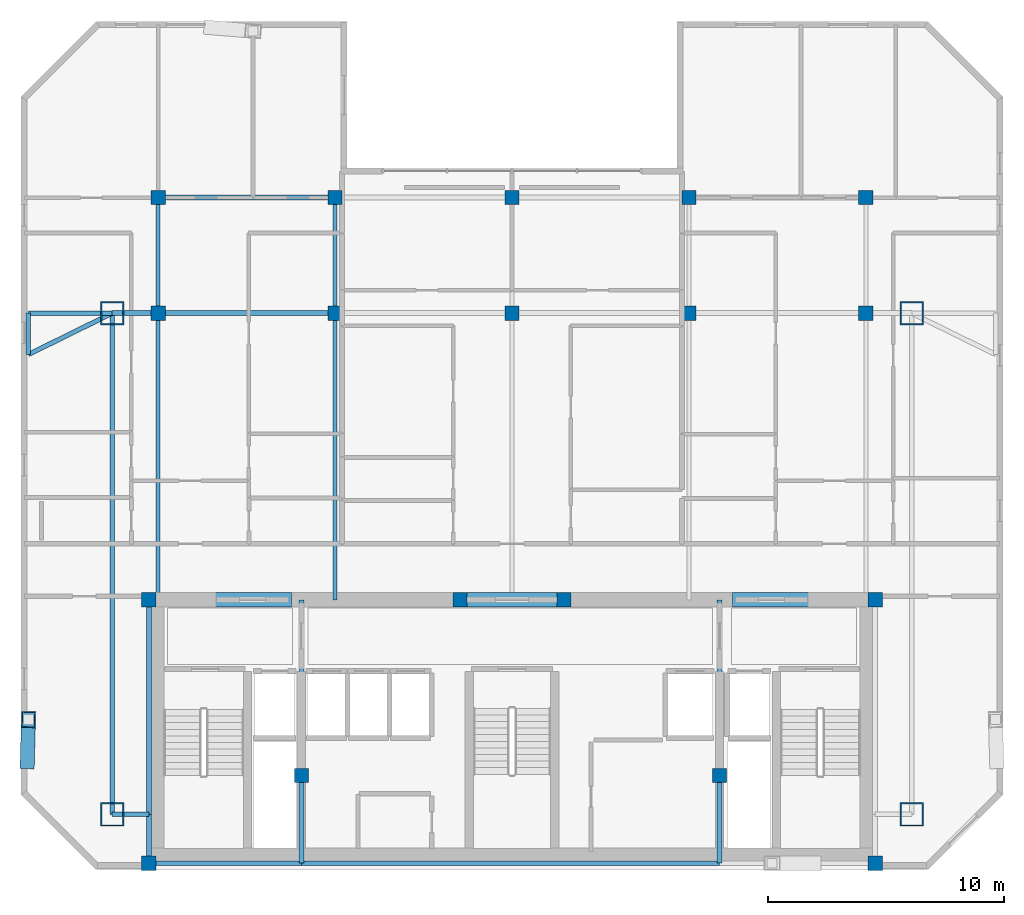
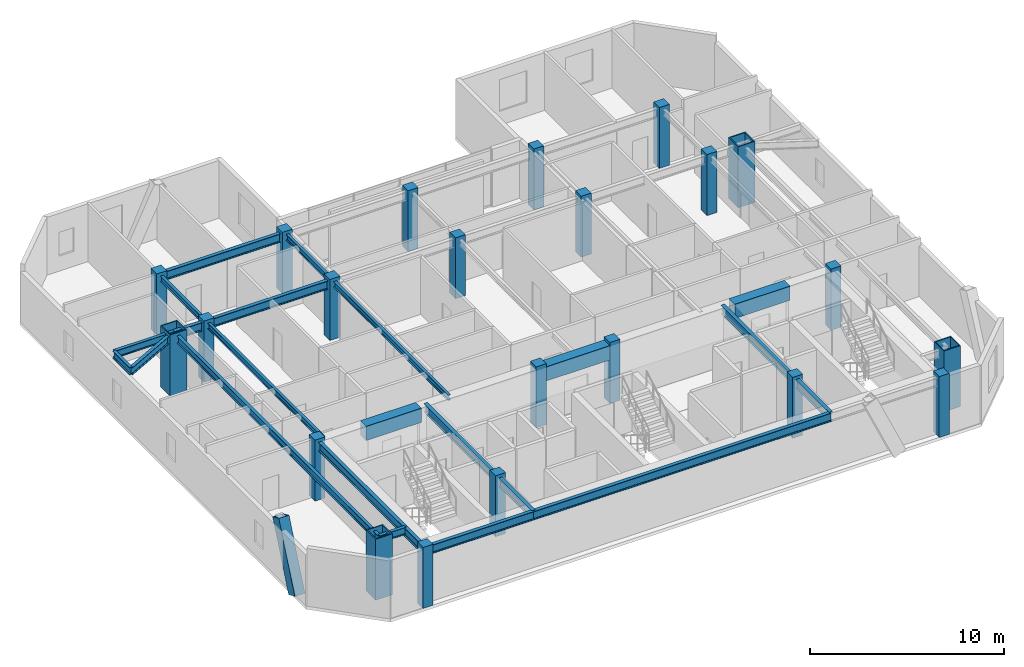
# One storey, part 1 of 11: 23 beams, 22 columns, 1 member.
"""IFC4 building model written with IfcOpenShell, lengths in metres."""

from ifc_helpers import new_model, si_unit, direction, frame, origin, origin_2d, place, context, subcontext, project, spatial, rectangle, hollow_rectangle, i_section, extrude, material, material_profile, profile_set, type_object, element, save


model = new_model("IFC4")

# Units and contexts
model_context = context("Model", 3, precision=1e-05, world=origin(), true_north=direction((0.0, 1.0)))
body_context = subcontext(model_context, "Body", "Model", "MODEL_VIEW")
ifc_project = project(units=[si_unit("LENGTHUNIT", "METRE"), si_unit("AREAUNIT", "SQUARE_METRE"), si_unit("VOLUMEUNIT", "CUBIC_METRE"), si_unit("PLANEANGLEUNIT", "RADIAN"), si_unit("MASSUNIT", "GRAM", prefix="KILO")], contexts=[model_context])

# Site, building, storey
site_placement = place(None, origin())
site = spatial("IfcSite", under=ifc_project, at=site_placement, CompositionType="ELEMENT")
building_placement = place(site_placement, origin())
building = spatial("IfcBuilding", under=site, at=building_placement, Name="Ventersveld Concourse Tower", CompositionType="ELEMENT")
storey_placement = place(building_placement, frame((0.0, 0.0, 256.75)))
storey = spatial("IfcBuildingStorey", under=building, at=storey_placement, Name="L63", CompositionType="ELEMENT", Elevation=256.75)

# Columns
ifc_material_1 = material(Name="Concrete C50/60", Category="concrete")
ifc_material_profile_1 = material_profile(ifc_material_1, rectangle(XDim=0.60009765625, YDim=0.60009765625, at=origin_2d()), Name="RC 600x600")
ifc_profile_set_1 = profile_set([ifc_material_profile_1], Name="Concrete C50/60")
column_type_1 = type_object("IfcColumnType", Name="COL-RC600", PredefinedType="COLUMN", material=ifc_profile_set_1)
for number, where, z_axis, x_axis, name in (
    (1, (13.35009765625, 0.280029296875, 0.0), (0.0, 0.0, 1.0), (1.0, 0.0, 0.0), "L63 Core Spine Column CC-SW"),
    (2, (44.14990234375, 0.280029296875, 0.0), (0.0, 0.0, 1.0), (1.0, 0.0, 0.0), "L63 Core Spine Column CC-SE"),
    (3, (13.35009765625, 11.449951171875, 0.0), (0.0, 0.0, 1.0), (1.0, 0.0, 0.0), "L63 Core Spine Column CC-NW"),
    (4, (44.14990234375, 11.449951171875, 0.0), (0.0, 0.0, 1.0), (1.0, 0.0, 0.0), "L63 Core Spine Column CC-NE"),
    (5, (19.820068359375, 4.0, 0.0), (0.0, 0.0, 1.0), (1.0, 0.0, 0.0), "L63 Core Spine Column CM-1"),
    (6, (37.550048828125, 4.0, 0.0), (0.0, 0.0, 1.0), (1.0, 0.0, 0.0), "L63 Core Spine Column CM-2"),
    (7, (26.550048828125, 11.449951171875, 0.0), (0.0, 0.0, 1.0), (1.0, 0.0, 0.0), "L63 Core Spine Column CM-3"),
    (8, (30.949951171875, 11.449951171875, 0.0), (0.0, 0.0, 1.0), (1.0, 0.0, 0.0), "L63 Core Spine Column CM-4"),
    (9, (13.75, 23.60009765625, 0.0), (0.0, 0.0, 1.0), (1.0, 0.0, 0.0), "L63 Interior Gravity Column X=13.75 Y=23.60"),
    (10, (21.25, 23.60009765625, 0.0), (0.0, 0.0, 1.0), (1.0, 0.0, 0.0), "L63 Interior Gravity Column X=21.25 Y=23.60"),
    (11, (28.75, 23.60009765625, 0.0), (0.0, 0.0, 1.0), (1.0, 0.0, 0.0), "L63 Interior Gravity Column X=28.75 Y=23.60"),
    (12, (36.25, 23.60009765625, 0.0), (0.0, 0.0, 1.0), (1.0, 0.0, 0.0), "L63 Interior Gravity Column X=36.25 Y=23.60"),
    (13, (43.75, 23.60009765625, 0.0), (0.0, 0.0, 1.0), (1.0, 0.0, 0.0), "L63 Interior Gravity Column X=43.75 Y=23.60"),
    (14, (13.75, 28.5, 0.0), (0.0, 0.0, 1.0), (1.0, 0.0, 0.0), "L63 Upper-North Gravity Column X=13.75 Y=28.50"),
    (15, (21.25, 28.5, 0.0), (0.0, 0.0, 1.0), (1.0, 0.0, 0.0), "L63 Upper-North Gravity Column X=21.25 Y=28.50"),
    (16, (28.75, 28.5, 0.0), (0.0, 0.0, 1.0), (1.0, 0.0, 0.0), "L63 Upper-North Gravity Column X=28.75 Y=28.50"),
    (17, (36.25, 28.5, 0.0), (0.0, 0.0, 1.0), (1.0, 0.0, 0.0), "L63 Upper-North Gravity Column X=36.25 Y=28.50"),
    (18, (43.75, 28.5, 0.0), (0.0, 0.0, 1.0), (1.0, 0.0, 0.0), "L63 Upper-North Gravity Column X=43.75 Y=28.50"),
):
    element("IfcColumn", number, at=place(storey_placement, frame(where, z_axis=z_axis, x_axis=x_axis)), inside=storey, type_object=column_type_1, Name=name, PredefinedType="COLUMN", context=body_context, shape_type="SweptSolid", body=[
        extrude(rectangle(XDim=0.60009765625, YDim=0.60009765625, at=origin_2d()), origin(), (0.0, 0.0, 1.0), 3.85009765625),
    ])
ifc_material_2 = material(Name="Structural steel S460ML", Category="steel")
ifc_material_profile_2 = material_profile(ifc_material_2, hollow_rectangle(XDim=1.0, YDim=1.0, WallThickness=0.06005859375, at=origin_2d()), Name="BOX 1000x1000x60")
ifc_profile_set_2 = profile_set([ifc_material_profile_2], Name="Structural steel S460ML")
column_type_2 = type_object("IfcColumnType", Name="MC-1000", PredefinedType="USERDEFINED", material=ifc_profile_set_2)
for number, where, z_axis, x_axis, name in (
    (19, (11.800048828125, 2.35009765625, 0.0), (0.0, 0.0, 1.0), (1.0, 0.0, 0.0), "L63 Corner Mega-Column MC-SW"),
    (20, (45.699951171875, 2.35009765625, 0.0), (0.0, 0.0, 1.0), (1.0, 0.0, 0.0), "L63 Corner Mega-Column MC-SE"),
    (21, (45.699951171875, 23.60009765625, 0.0), (0.0, 0.0, 1.0), (1.0, 0.0, 0.0), "L63 Corner Mega-Column MC-NE"),
    (22, (11.800048828125, 23.60009765625, 0.0), (0.0, 0.0, 1.0), (1.0, 0.0, 0.0), "L63 Corner Mega-Column MC-NW"),
):
    element("IfcColumn", number, at=place(storey_placement, frame(where, z_axis=z_axis, x_axis=x_axis)), inside=storey, type_object=column_type_2, Name=name, ObjectType="MEGA_COLUMN", PredefinedType="USERDEFINED", context=body_context, shape_type="SweptSolid", body=[
        extrude(hollow_rectangle(XDim=1.0, YDim=1.0, WallThickness=0.06005859375, at=origin_2d()), origin(), (0.0, 0.0, 1.0), 3.85009765625),
    ])

# Beams
ifc_material_3 = material(Name="Structural steel S355J2", Category="steel")
ifc_material_profile_3 = material_profile(ifc_material_3, i_section(OverallWidth=0.17138671875, OverallDepth=0.35498046875, WebThickness=0.00732421875, FlangeThickness=0.011474609375, FilletRadius=0.01025390625, at=origin_2d()), Name="UB 356x171x51")
ifc_profile_set_3 = profile_set([ifc_material_profile_3], Name="Structural steel S355J2")
beam_type_1 = type_object("IfcBeamType", Name="BM-UB356", PredefinedType="BEAM", material=ifc_profile_set_3)
beam_1_placement = place(storey_placement, frame((13.75, 11.449951171875, 3.472412109375), z_axis=(0.0, 1.0, 0.0), x_axis=(-1.0, 0.0, 0.0)))
element("IfcBeam", 23, at=beam_1_placement, inside=storey, type_object=beam_type_1, Name="L63 N-S Composite Floor Beam South X=13.75", PredefinedType="BEAM", context=body_context, shape_type="SweptSolid", body=[
    extrude(i_section(OverallWidth=0.17138671875, OverallDepth=0.35498046875, WebThickness=0.00732421875, FlangeThickness=0.011474609375, FilletRadius=0.01025390625, at=origin_2d()), origin(), (0.0, 0.0, 1.0), 12.150146484375),
])
beam_2_placement = place(storey_placement, frame((13.75, 23.60009765625, 3.472412109375), z_axis=(0.0, 1.0, 0.0), x_axis=(-1.0, 0.0, 0.0)))
element("IfcBeam", 24, at=beam_2_placement, inside=storey, type_object=beam_type_1, Name="L63 N-S Upper-Zone Floor Beam X=13.75", PredefinedType="BEAM", context=body_context, shape_type="SweptSolid", body=[
    extrude(i_section(OverallWidth=0.17138671875, OverallDepth=0.35498046875, WebThickness=0.00732421875, FlangeThickness=0.011474609375, FilletRadius=0.01025390625, at=origin_2d()), origin(), (0.0, 0.0, 1.0), 4.89990234375),
])
beam_3_placement = place(storey_placement, frame((21.25, 11.449951171875, 3.472412109375), z_axis=(0.0, 1.0, 0.0), x_axis=(-1.0, 0.0, 0.0)))
element("IfcBeam", 25, at=beam_3_placement, inside=storey, type_object=beam_type_1, Name="L63 N-S Composite Floor Beam South X=21.25", PredefinedType="BEAM", context=body_context, shape_type="SweptSolid", body=[
    extrude(i_section(OverallWidth=0.17138671875, OverallDepth=0.35498046875, WebThickness=0.00732421875, FlangeThickness=0.011474609375, FilletRadius=0.01025390625, at=origin_2d()), origin(), (0.0, 0.0, 1.0), 12.150146484375),
])
beam_4_placement = place(storey_placement, frame((21.25, 23.60009765625, 3.472412109375), z_axis=(0.0, 1.0, 0.0), x_axis=(-1.0, 0.0, 0.0)))
element("IfcBeam", 26, at=beam_4_placement, inside=storey, type_object=beam_type_1, Name="L63 N-S Upper-Zone Floor Beam X=21.25", PredefinedType="BEAM", context=body_context, shape_type="SweptSolid", body=[
    extrude(i_section(OverallWidth=0.17138671875, OverallDepth=0.35498046875, WebThickness=0.00732421875, FlangeThickness=0.011474609375, FilletRadius=0.01025390625, at=origin_2d()), origin(), (0.0, 0.0, 1.0), 4.89990234375),
])
ifc_material_profile_4 = material_profile(ifc_material_1, rectangle(XDim=0.60009765625, YDim=0.89990234375, at=origin_2d()), Name="RC 600x900")
ifc_profile_set_4 = profile_set([ifc_material_profile_4], Name="Concrete C50/60")
beam_type_2 = type_object("IfcBeamType", Name="CB-RC600x900U", PredefinedType="LINTEL", material=ifc_profile_set_4)
beam_5_placement = place(storey_placement, frame((16.10009765625, 11.449951171875, 3.199951171875), z_axis=(1.0, 0.0, 0.0), x_axis=(0.0, 1.0, 0.0)))
element("IfcBeam", 27, at=beam_5_placement, inside=storey, type_object=beam_type_2, Name="L63 Core Coupling Lintel Beam 1", PredefinedType="LINTEL", context=body_context, shape_type="SweptSolid", body=[
    extrude(rectangle(XDim=0.60009765625, YDim=0.89990234375, at=origin_2d()), origin(), (0.0, 0.0, 1.0), 3.2998046875),
])
beam_6_placement = place(storey_placement, frame((26.5, 11.449951171875, 3.199951171875), z_axis=(1.0, 0.0, 0.0), x_axis=(0.0, 1.0, 0.0)))
element("IfcBeam", 28, at=beam_6_placement, inside=storey, type_object=beam_type_2, Name="L63 Core Coupling Lintel Beam 2", PredefinedType="LINTEL", context=body_context, shape_type="SweptSolid", body=[
    extrude(rectangle(XDim=0.60009765625, YDim=0.89990234375, at=origin_2d()), origin(), (0.0, 0.0, 1.0), 4.5),
])
beam_7_placement = place(storey_placement, frame((38.10009765625, 11.449951171875, 3.199951171875), z_axis=(1.0, 0.0, 0.0), x_axis=(0.0, 1.0, 0.0)))
element("IfcBeam", 29, at=beam_7_placement, inside=storey, type_object=beam_type_2, Name="L63 Core Coupling Lintel Beam 3", PredefinedType="LINTEL", context=body_context, shape_type="SweptSolid", body=[
    extrude(rectangle(XDim=0.60009765625, YDim=0.89990234375, at=origin_2d()), origin(), (0.0, 0.0, 1.0), 3.2998046875),
])
ifc_material_profile_5 = material_profile(ifc_material_3, i_section(OverallWidth=0.2119140625, OverallDepth=0.54443359375, WebThickness=0.0126953125, FlangeThickness=0.021240234375, FilletRadius=0.0126953125, at=origin_2d()), Name="UB 533x210x122")
ifc_profile_set_5 = profile_set([ifc_material_profile_5], Name="Structural steel S355J2")
beam_type_3 = type_object("IfcBeamType", Name="GRD-UB533H", PredefinedType="T_BEAM", material=ifc_profile_set_5)
beam_8_placement = place(storey_placement, frame((13.35009765625, 0.280029296875, 3.377685546875), z_axis=(0.0, 1.0, 0.0), x_axis=(-1.0, 0.0, 0.0)))
element("IfcBeam", 30, at=beam_8_placement, inside=storey, type_object=beam_type_3, Name="L63 Core West Tie Beam S", PredefinedType="T_BEAM", context=body_context, shape_type="SweptSolid", body=[
    extrude(i_section(OverallWidth=0.2119140625, OverallDepth=0.54443359375, WebThickness=0.0126953125, FlangeThickness=0.021240234375, FilletRadius=0.0126953125, at=origin_2d()), origin(), (0.0, 0.0, 1.0), 2.070068359375),
])
beam_9_placement = place(storey_placement, frame((13.35009765625, 2.35009765625, 3.377685546875), z_axis=(0.0, 1.0, 0.0), x_axis=(-1.0, 0.0, 0.0)))
element("IfcBeam", 31, at=beam_9_placement, inside=storey, type_object=beam_type_3, Name="L63 Core West Tie Beam N", PredefinedType="T_BEAM", context=body_context, shape_type="SweptSolid", body=[
    extrude(i_section(OverallWidth=0.2119140625, OverallDepth=0.54443359375, WebThickness=0.0126953125, FlangeThickness=0.021240234375, FilletRadius=0.0126953125, at=origin_2d()), origin(), (0.0, 0.0, 1.0), 9.099853515625),
])
beam_10_placement = place(storey_placement, frame((13.35009765625, 0.280029296875, 3.377685546875), z_axis=(1.0, 0.0, 0.0), x_axis=(0.0, 1.0, 0.0)))
element("IfcBeam", 32, at=beam_10_placement, inside=storey, type_object=beam_type_3, Name="L63 Core South Tie Beam W", PredefinedType="T_BEAM", context=body_context, shape_type="SweptSolid", body=[
    extrude(i_section(OverallWidth=0.2119140625, OverallDepth=0.54443359375, WebThickness=0.0126953125, FlangeThickness=0.021240234375, FilletRadius=0.0126953125, at=origin_2d()), origin(), (0.0, 0.0, 1.0), 6.469970703125),
])
beam_11_placement = place(storey_placement, frame((19.820068359375, 0.280029296875, 3.377685546875), z_axis=(1.0, 0.0, 0.0), x_axis=(0.0, 1.0, 0.0)))
element("IfcBeam", 33, at=beam_11_placement, inside=storey, type_object=beam_type_3, Name="L63 Core South Tie Beam C", PredefinedType="T_BEAM", context=body_context, shape_type="SweptSolid", body=[
    extrude(i_section(OverallWidth=0.2119140625, OverallDepth=0.54443359375, WebThickness=0.0126953125, FlangeThickness=0.021240234375, FilletRadius=0.0126953125, at=origin_2d()), origin(), (0.0, 0.0, 1.0), 17.72998046875),
])
beam_12_placement = place(storey_placement, frame((19.820068359375, 0.280029296875, 3.377685546875), z_axis=(0.0, 1.0, 0.0), x_axis=(-1.0, 0.0, 0.0)))
element("IfcBeam", 34, at=beam_12_placement, inside=storey, type_object=beam_type_3, Name="L63 Core Spine N-S Tie Beam W1", PredefinedType="T_BEAM", context=body_context, shape_type="SweptSolid", body=[
    extrude(i_section(OverallWidth=0.2119140625, OverallDepth=0.54443359375, WebThickness=0.0126953125, FlangeThickness=0.021240234375, FilletRadius=0.0126953125, at=origin_2d()), origin(), (0.0, 0.0, 1.0), 3.719970703125),
])
beam_13_placement = place(storey_placement, frame((19.820068359375, 4.0, 3.377685546875), z_axis=(0.0, 1.0, 0.0), x_axis=(-1.0, 0.0, 0.0)))
element("IfcBeam", 35, at=beam_13_placement, inside=storey, type_object=beam_type_3, Name="L63 Core Spine N-S Tie Beam W2", PredefinedType="T_BEAM", context=body_context, shape_type="SweptSolid", body=[
    extrude(i_section(OverallWidth=0.2119140625, OverallDepth=0.54443359375, WebThickness=0.0126953125, FlangeThickness=0.021240234375, FilletRadius=0.0126953125, at=origin_2d()), origin(), (0.0, 0.0, 1.0), 7.449951171875),
])
beam_14_placement = place(storey_placement, frame((37.550048828125, 0.280029296875, 3.377685546875), z_axis=(0.0, 1.0, 0.0), x_axis=(-1.0, 0.0, 0.0)))
element("IfcBeam", 36, at=beam_14_placement, inside=storey, type_object=beam_type_3, Name="L63 Core Spine N-S Tie Beam E1", PredefinedType="T_BEAM", context=body_context, shape_type="SweptSolid", body=[
    extrude(i_section(OverallWidth=0.2119140625, OverallDepth=0.54443359375, WebThickness=0.0126953125, FlangeThickness=0.021240234375, FilletRadius=0.0126953125, at=origin_2d()), origin(), (0.0, 0.0, 1.0), 3.719970703125),
])
beam_15_placement = place(storey_placement, frame((37.550048828125, 4.0, 3.377685546875), z_axis=(0.0, 1.0, 0.0), x_axis=(-1.0, 0.0, 0.0)))
element("IfcBeam", 37, at=beam_15_placement, inside=storey, type_object=beam_type_3, Name="L63 Core Spine N-S Tie Beam E2", PredefinedType="T_BEAM", context=body_context, shape_type="SweptSolid", body=[
    extrude(i_section(OverallWidth=0.2119140625, OverallDepth=0.54443359375, WebThickness=0.0126953125, FlangeThickness=0.021240234375, FilletRadius=0.0126953125, at=origin_2d()), origin(), (0.0, 0.0, 1.0), 7.449951171875),
])
beam_16_placement = place(storey_placement, frame((11.800048828125, 23.60009765625, 3.377685546875), z_axis=(1.0, 0.0, 0.0), x_axis=(0.0, 1.0, 0.0)))
element("IfcBeam", 38, at=beam_16_placement, inside=storey, type_object=beam_type_3, Name="L63 Primary E-W Grid Girder Y=23.60 #1", PredefinedType="T_BEAM", context=body_context, shape_type="SweptSolid", body=[
    extrude(i_section(OverallWidth=0.2119140625, OverallDepth=0.54443359375, WebThickness=0.0126953125, FlangeThickness=0.021240234375, FilletRadius=0.0126953125, at=origin_2d()), origin(), (0.0, 0.0, 1.0), 1.949951171875),
])
for number, where, z_axis, x_axis, name in (
    (39, (13.75, 23.60009765625, 3.377685546875), (1.0, 0.0, 0.0), (0.0, 1.0, 0.0), "L63 Primary E-W Grid Girder Y=23.60 #2"),
    (40, (13.75, 28.5, 3.377685546875), (1.0, 0.0, 0.0), (0.0, 1.0, 0.0), "L63 Upper-North E-W Girder Y=28.50 #1"),
):
    element("IfcBeam", number, at=place(storey_placement, frame(where, z_axis=z_axis, x_axis=x_axis)), inside=storey, type_object=beam_type_3, Name=name, PredefinedType="T_BEAM", context=body_context, shape_type="SweptSolid", body=[
        extrude(i_section(OverallWidth=0.2119140625, OverallDepth=0.54443359375, WebThickness=0.0126953125, FlangeThickness=0.021240234375, FilletRadius=0.0126953125, at=origin_2d()), origin(), (0.0, 0.0, 1.0), 7.5),
    ])

# Member
ifc_material_4 = material(Name="Structural steel S355ML", Category="steel")
ifc_material_profile_6 = material_profile(ifc_material_4, hollow_rectangle(XDim=0.60009765625, YDim=0.75, WallThickness=0.0400390625, at=origin_2d()), Name="BOX 750x600x40")
ifc_profile_set_6 = profile_set([ifc_material_profile_6], Name="Structural steel S355ML")
member_type = type_object("IfcMemberType", Name="MB-750x600", PredefinedType="BRACE", material=ifc_profile_set_6)
member_placement = place(storey_placement, frame((8.200439453125, 4.631591796875, -0.199951171875), z_axis=(0.011730612407, 0.411727159605, 0.911231660324), x_axis=(-0.999594371896, 0.028479671227, 0.0)))
element("IfcMember", 41, at=member_placement, inside=storey, type_object=member_type, Name="L63 Exterior Mega-Brace W (Module M15)", PredefinedType="BRACE", context=body_context, shape_type="SweptSolid", body=[
    extrude(hollow_rectangle(XDim=0.60009765625, YDim=0.75, WallThickness=0.0400390625, at=origin_2d()), origin(), (0.0, 0.0, 1.0), 4.224853515625),
])

# Beams
ifc_material_profile_7 = material_profile(ifc_material_3, i_section(OverallWidth=0.19140625, OverallDepth=0.4599609375, WebThickness=0.010009765625, FlangeThickness=0.01611328125, FilletRadius=0.01025390625, at=origin_2d()), Name="UB 457x191x82")
ifc_profile_set_7 = profile_set([ifc_material_profile_7], Name="Structural steel S355J2")
beam_type_4 = type_object("IfcBeamType", Name="SPD-UB457", PredefinedType="SPANDREL", material=ifc_profile_set_7)
beam_17_placement = place(storey_placement, frame((11.800048828125, 2.35009765625, 3.419921875), z_axis=(1.0, 0.0, 0.0), x_axis=(0.0, 1.0, 0.0)))
element("IfcBeam", 42, at=beam_17_placement, inside=storey, type_object=beam_type_4, Name="L63 SW Spandrel Beam", PredefinedType="SPANDREL", context=body_context, shape_type="SweptSolid", body=[
    extrude(i_section(OverallWidth=0.19140625, OverallDepth=0.4599609375, WebThickness=0.010009765625, FlangeThickness=0.01611328125, FilletRadius=0.01025390625, at=origin_2d()), origin(), (0.0, 0.0, 1.0), 1.550048828125),
])
beam_18_placement = place(storey_placement, frame((11.800048828125, 2.35009765625, 3.419921875), z_axis=(0.0, 1.0, 0.0), x_axis=(-1.0, 0.0, 0.0)))
element("IfcBeam", 43, at=beam_18_placement, inside=storey, type_object=beam_type_4, Name="L63 West Spandrel Beam", PredefinedType="SPANDREL", context=body_context, shape_type="SweptSolid", body=[
    extrude(i_section(OverallWidth=0.19140625, OverallDepth=0.4599609375, WebThickness=0.010009765625, FlangeThickness=0.01611328125, FilletRadius=0.01025390625, at=origin_2d()), origin(), (0.0, 0.0, 1.0), 21.25),
])
beam_19_placement = place(storey_placement, frame((8.247802734375, 23.60009765625, 3.419921875), z_axis=(1.0, 0.0, 0.0), x_axis=(0.0, 1.0, 0.0)))
element("IfcBeam", 44, at=beam_19_placement, inside=storey, type_object=beam_type_4, Name="L63 West Valley Bracket S", PredefinedType="SPANDREL", context=body_context, shape_type="SweptSolid", body=[
    extrude(i_section(OverallWidth=0.19140625, OverallDepth=0.4599609375, WebThickness=0.010009765625, FlangeThickness=0.01611328125, FilletRadius=0.01025390625, at=origin_2d()), origin(), (0.0, 0.0, 1.0), 3.55224609375),
])
beam_20_placement = place(storey_placement, frame((8.247802734375, 21.85009765625, 3.419921875), z_axis=(0.897050367263, 0.441928318388, 0.0), x_axis=(-0.441928318388, 0.897050367263, 0.0)))
element("IfcBeam", 45, at=beam_20_placement, inside=storey, type_object=beam_type_4, Name="L63 West Valley Diagonal Bracket", PredefinedType="SPANDREL", context=body_context, shape_type="SweptSolid", body=[
    extrude(i_section(OverallWidth=0.19140625, OverallDepth=0.4599609375, WebThickness=0.010009765625, FlangeThickness=0.01611328125, FilletRadius=0.01025390625, at=origin_2d()), origin(), (0.0, 0.0, 1.0), 3.9599609375),
])
beam_21_placement = place(storey_placement, frame((8.247802734375, 21.85009765625, 3.419921875), z_axis=(0.0, 1.0, 0.0), x_axis=(-1.0, 0.0, 0.0)))
element("IfcBeam", 46, at=beam_21_placement, inside=storey, type_object=beam_type_4, Name="L63 West Valley Edge Beam", PredefinedType="SPANDREL", context=body_context, shape_type="SweptSolid", body=[
    extrude(i_section(OverallWidth=0.19140625, OverallDepth=0.4599609375, WebThickness=0.010009765625, FlangeThickness=0.01611328125, FilletRadius=0.01025390625, at=origin_2d()), origin(), (0.0, 0.0, 1.0), 1.75),
])

save(model, "model.ifc")
